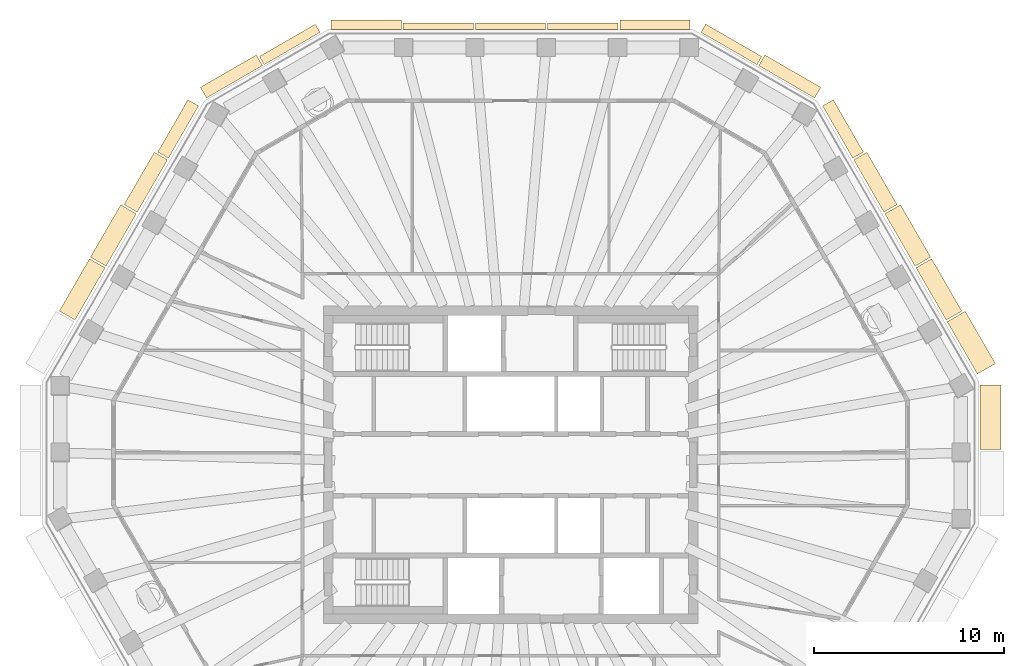
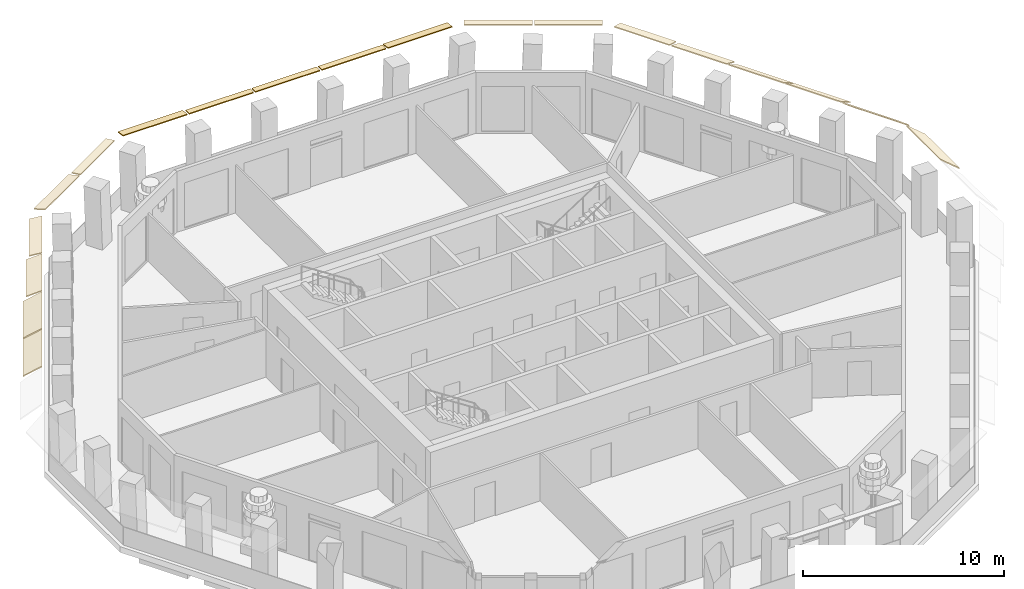
# One storey, part 9 of 11: 19 coverings.
"""IFC4 building model written with IfcOpenShell, lengths in metres."""

from ifc_helpers import new_model, si_unit, direction, frame, origin, place, context, subcontext, project, spatial, polyline, outline, extrude, material, layer, layer_set, type_object, element, save


model = new_model("IFC4")

# Units and contexts
model_context = context("Model", 3, precision=1e-05, world=origin(), true_north=direction((0.0, 1.0)))
body_context = subcontext(model_context, "Body", "Model", "MODEL_VIEW")
ifc_project = project(units=[si_unit("LENGTHUNIT", "METRE"), si_unit("AREAUNIT", "SQUARE_METRE"), si_unit("VOLUMEUNIT", "CUBIC_METRE"), si_unit("PLANEANGLEUNIT", "RADIAN"), si_unit("MASSUNIT", "GRAM", prefix="KILO")], contexts=[model_context])

# Site, building, storey
site_placement = place(None, origin())
site = spatial("IfcSite", under=ifc_project, at=site_placement, CompositionType="ELEMENT")
building_placement = place(site_placement, origin())
building = spatial("IfcBuilding", under=site, at=building_placement, Name="Frailejon Research Tower", CompositionType="ELEMENT")
storey_placement = place(building_placement, frame((0.0, 0.0, 283.0)))
storey = spatial("IfcBuildingStorey", under=building, at=storey_placement, Name="L62", CompositionType="ELEMENT", Elevation=283.0)

# Coverings
ifc_material_1 = material(Name="Precast concrete C50/60", Category="concrete")
ifc_layer_1 = layer(ifc_material_1, 0.06005859375)
ifc_layer_set_1 = layer_set([ifc_layer_1], Name="Brim blade depth 1100")
covering_type_1 = type_object("IfcCoveringType", Name="Brim blade depth 1100", PredefinedType="CLADDING", material=ifc_layer_set_1)
covering_1_placement = place(storey_placement, frame((24.709228515625, 4.206298828125, 3.85009765625), z_axis=(0.0, -1.0, 0.0), x_axis=(1.0, 0.0, 0.0)))
element("IfcCovering", 1, at=covering_1_placement, inside=storey, type_object=covering_type_1, Name="Brim blade L62", PredefinedType="CLADDING", context=body_context, shape_type="SweptSolid", body=[
    extrude(outline(polyline([(0.0, -0.078369140625), (1.10009765625, -1.001220703125), (1.10009765625, -0.923095703125), (0.0, 0.0), (0.0, -0.078369140625)])), origin(), (0.0, 0.0, 1.0), 3.402099609375),
])
covering_2_placement = place(storey_placement, frame((22.96826171875, 7.5263671875, 3.85009765625), z_axis=(0.500011211756, -0.866018930577, 0.0), x_axis=(0.866018930577, 0.500011211756, 0.0)))
element("IfcCovering", 2, at=covering_2_placement, inside=storey, type_object=covering_type_1, Name="Brim blade L62", PredefinedType="CLADDING", context=body_context, shape_type="SweptSolid", body=[
    extrude(outline(polyline([(0.0, -0.078369140625), (1.10009765625, -1.001220703125), (1.10009765625, -0.923095703125), (0.0, 0.0), (0.0, -0.078369140625)])), origin(), (0.0, 0.0, 1.0), 3.177490234375),
])
ifc_material_2 = material(Name="Precast concrete C50/60", Category="concrete")
ifc_layer_2 = layer(ifc_material_2, 0.06005859375)
ifc_layer_set_2 = layer_set([ifc_layer_2], Name="Brim blade depth 350")
covering_type_2 = type_object("IfcCoveringType", Name="Brim blade depth 350", PredefinedType="CLADDING", material=ifc_layer_set_2)
for number, where, z_axis, x_axis, name in (
    (3, (1.949951171875, 22.89990234375, 3.85009765625), (1.0, 0.0, 0.0), (0.0, 1.0, 0.0), "Brim blade L62"),
    (4, (-1.85009765625, 22.89990234375, 3.85009765625), (1.0, 0.0, 0.0), (0.0, 1.0, 0.0), "Brim blade L62"),
    (5, (-5.64990234375, 22.89990234375, 3.85009765625), (1.0, 0.0, 0.0), (0.0, 1.0, 0.0), "Brim blade L62"),
):
    element("IfcCovering", number, at=place(storey_placement, frame(where, z_axis=z_axis, x_axis=x_axis)), inside=storey, type_object=covering_type_2, Name=name, PredefinedType="CLADDING", context=body_context, shape_type="SweptSolid", body=[
        extrude(outline(polyline([(0.0, -0.06005859375), (0.35009765625, -0.06005859375), (0.35009765625, 0.0), (0.0, 0.0), (0.0, -0.06005859375)])), origin(), (0.0, 0.0, 1.0), 3.699951171875),
    ])
ifc_material_3 = material(Name="Precast concrete C50/60", Category="concrete")
ifc_layer_3 = layer(ifc_material_3, 0.06005859375)
ifc_layer_set_3 = layer_set([ifc_layer_3], Name="Brim blade depth 500")
covering_type_3 = type_object("IfcCoveringType", Name="Brim blade depth 500", PredefinedType="CLADDING", material=ifc_layer_set_3)
covering_3_placement = place(storey_placement, frame((10.018310546875, 22.747802734375, 3.85009765625), z_axis=(0.866023907216, -0.500002592124, 0.0), x_axis=(0.500002592124, 0.866023907216, 0.0)))
element("IfcCovering", 6, at=covering_3_placement, inside=storey, type_object=covering_type_3, Name="Brim blade L62", PredefinedType="CLADDING", context=body_context, shape_type="SweptSolid", body=[
    extrude(outline(polyline([(0.0, -0.060546875), (0.5, -0.130859375), (0.5, -0.0703125), (0.0, 0.0), (0.0, -0.060546875)])), origin(), (0.0, 0.0, 1.0), 3.402099609375),
])
for number, where, z_axis, x_axis, name in (
    (7, (5.75, 22.89990234375, 3.85009765625), (1.0, 0.0, 0.0), (0.0, 1.0, 0.0), "Brim blade L62"),
    (8, (-9.449951171875, 22.89990234375, 3.85009765625), (1.0, 0.0, 0.0), (0.0, 1.0, 0.0), "Brim blade L62"),
):
    element("IfcCovering", number, at=place(storey_placement, frame(where, z_axis=z_axis, x_axis=x_axis)), inside=storey, type_object=covering_type_3, Name=name, PredefinedType="CLADDING", context=body_context, shape_type="SweptSolid", body=[
        extrude(outline(polyline([(0.0, -0.060546875), (0.5, -0.130859375), (0.5, -0.0703125), (0.0, 0.0), (0.0, -0.060546875)])), origin(), (0.0, 0.0, 1.0), 3.699951171875),
    ])
covering_4_placement = place(storey_placement, frame((-12.964599609375, 21.046630859375, 3.85009765625), z_axis=(0.866023907216, 0.500002592124, 0.0), x_axis=(-0.500002592124, 0.866023907216, 0.0)))
element("IfcCovering", 9, at=covering_4_placement, inside=storey, type_object=covering_type_3, Name="Brim blade L62", PredefinedType="CLADDING", context=body_context, shape_type="SweptSolid", body=[
    extrude(outline(polyline([(0.0, -0.060546875), (0.5, -0.130859375), (0.5, -0.0703125), (0.0, 0.0), (0.0, -0.060546875)])), origin(), (0.0, 0.0, 1.0), 3.402099609375),
])
ifc_material_4 = material(Name="Precast concrete C50/60", Category="concrete")
ifc_layer_4 = layer(ifc_material_4, 0.06005859375)
ifc_layer_set_4 = layer_set([ifc_layer_4], Name="Brim blade depth 650")
covering_type_4 = type_object("IfcCoveringType", Name="Brim blade depth 650", PredefinedType="CLADDING", material=ifc_layer_set_4)
covering_5_placement = place(storey_placement, frame((16.413330078125, 18.879638671875, 3.85009765625), z_axis=(0.500001540287, -0.866024514497, 0.0), x_axis=(0.866024514497, 0.500001540287, 0.0)))
element("IfcCovering", 10, at=covering_5_placement, inside=storey, type_object=covering_type_4, Name="Brim blade L62", PredefinedType="CLADDING", context=body_context, shape_type="SweptSolid", body=[
    extrude(outline(polyline([(0.0, -0.0625), (0.64990234375, -0.248779296875), (0.64990234375, -0.186279296875), (0.0, 0.0), (0.0, -0.0625)])), origin(), (0.0, 0.0, 1.0), 3.177490234375),
])
for number, where, z_axis, x_axis, name in (
    (11, (13.051025390625, 20.99658203125, 3.85009765625), (0.866023907216, -0.500002592124, 0.0), (0.500002592124, 0.866023907216, 0.0), "Brim blade L62"),
    (12, (-15.997314453125, 19.295654296875, 3.85009765625), (0.866023907216, 0.500002592124, 0.0), (-0.500002592124, 0.866023907216, 0.0), "Brim blade L62"),
):
    element("IfcCovering", number, at=place(storey_placement, frame(where, z_axis=z_axis, x_axis=x_axis)), inside=storey, type_object=covering_type_4, Name=name, PredefinedType="CLADDING", context=body_context, shape_type="SweptSolid", body=[
        extrude(outline(polyline([(0.0, -0.0625), (0.64990234375, -0.248779296875), (0.64990234375, -0.186279296875), (0.0, 0.0), (0.0, -0.0625)])), origin(), (0.0, 0.0, 1.0), 3.402099609375),
    ])
covering_6_placement = place(storey_placement, frame((-18.001953125, 16.1279296875, 3.85009765625), z_axis=(0.500001540287, 0.866024514497, 0.0), x_axis=(-0.866024514497, 0.500001540287, 0.0)))
element("IfcCovering", 13, at=covering_6_placement, inside=storey, type_object=covering_type_4, Name="Brim blade L62", PredefinedType="CLADDING", context=body_context, shape_type="SweptSolid", body=[
    extrude(outline(polyline([(0.0, -0.0625), (0.64990234375, -0.248779296875), (0.64990234375, -0.186279296875), (0.0, 0.0), (0.0, -0.0625)])), origin(), (0.0, 0.0, 1.0), 3.177490234375),
])
ifc_material_5 = material(Name="Precast concrete C50/60", Category="concrete")
ifc_layer_5 = layer(ifc_material_5, 0.06005859375)
ifc_layer_set_5 = layer_set([ifc_layer_5], Name="Brim blade depth 800")
covering_type_5 = type_object("IfcCoveringType", Name="Brim blade depth 800", PredefinedType="CLADDING", material=ifc_layer_set_5)
for number, where, z_axis, x_axis, name in (
    (14, (18.052001953125, 16.04150390625, 3.85009765625), (0.500011211756, -0.866018930577, 0.0), (0.866018930577, 0.500011211756, 0.0), "Brim blade L62"),
    (15, (-19.640869140625, 13.28955078125, 3.85009765625), (0.500011211756, 0.866018930577, 0.0), (-0.866018930577, 0.500011211756, 0.0), "Brim blade L62"),
):
    element("IfcCovering", number, at=place(storey_placement, frame(where, z_axis=z_axis, x_axis=x_axis)), inside=storey, type_object=covering_type_5, Name=name, PredefinedType="CLADDING", context=body_context, shape_type="SweptSolid", body=[
        extrude(outline(polyline([(0.0, -0.065673828125), (0.800048828125, -0.421875), (0.800048828125, -0.356201171875), (0.0, 0.0), (0.0, -0.065673828125)])), origin(), (0.0, 0.0, 1.0), 3.177490234375),
    ])
ifc_material_6 = material(Name="Precast concrete C50/60", Category="concrete")
ifc_layer_6 = layer(ifc_material_6, 0.06005859375)
ifc_layer_set_6 = layer_set([ifc_layer_6], Name="Brim blade depth 950")
covering_type_6 = type_object("IfcCoveringType", Name="Brim blade depth 950", PredefinedType="CLADDING", material=ifc_layer_set_6)
for number, where, z_axis, x_axis, name in (
    (16, (21.32958984375, 10.364501953125, 3.85009765625), (0.500001540287, -0.866024514497, 0.0), (0.866024514497, 0.500001540287, 0.0), "Brim blade L62"),
    (17, (19.69091796875, 13.202880859375, 3.85009765625), (0.499988328222, -0.866032142384, 0.0), (0.866032142384, 0.499988328222, 0.0), "Brim blade L62"),
    (18, (-21.279541015625, 10.451171875, 3.85009765625), (0.499988328222, 0.866032142384, 0.0), (-0.866032142384, 0.499988328222, 0.0), "Brim blade L62"),
    (19, (-22.918212890625, 7.61279296875, 3.85009765625), (0.500001540287, 0.866024514497, 0.0), (-0.866024514497, 0.500001540287, 0.0), "Brim blade L62"),
):
    element("IfcCovering", number, at=place(storey_placement, frame(where, z_axis=z_axis, x_axis=x_axis)), inside=storey, type_object=covering_type_6, Name=name, PredefinedType="CLADDING", context=body_context, shape_type="SweptSolid", body=[
        extrude(outline(polyline([(0.0, -0.07080078125), (0.949951171875, -0.664306640625), (0.949951171875, -0.593505859375), (0.0, 0.0), (0.0, -0.07080078125)])), origin(), (0.0, 0.0, 1.0), 3.177490234375),
    ])

save(model, "model.ifc")
